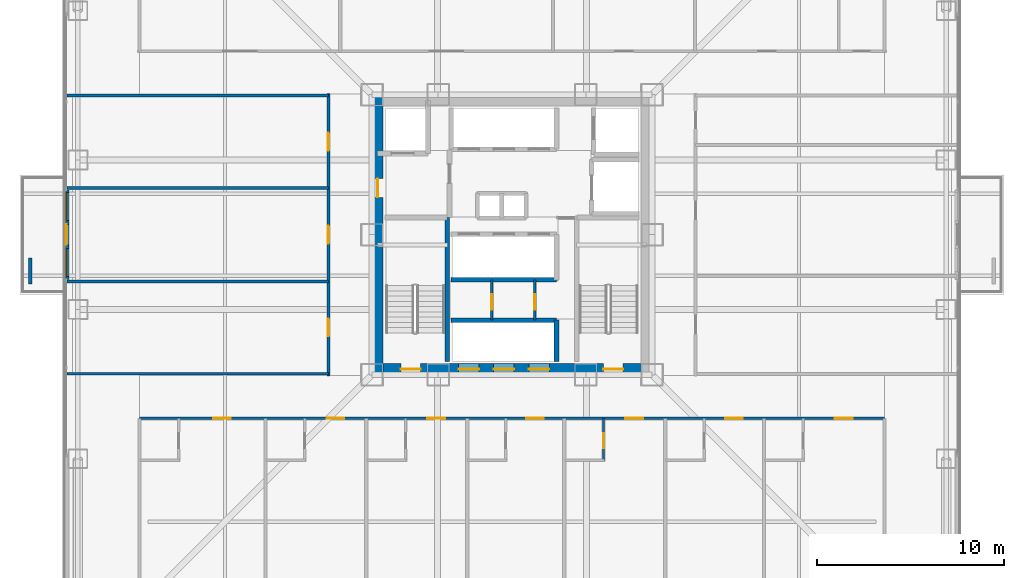
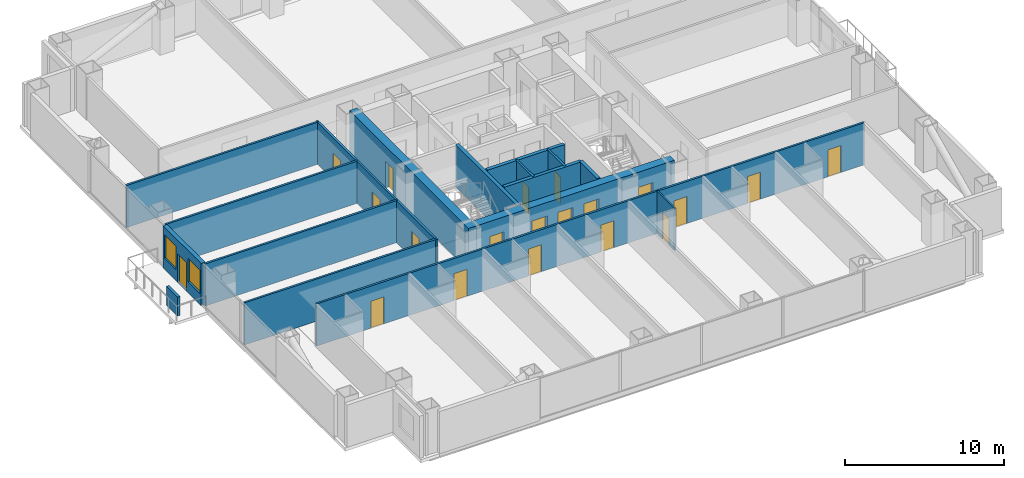
# One storey, part 15 of 20: 20 doors, 17 walls, 2 windows, 22 openings.
"""IFC4 building model written with IfcOpenShell, lengths in metres."""

from ifc_helpers import new_model, si_unit, direction, frame, frame_2d, origin, place, context, subcontext, project, spatial, rectangle, extrude, material, layer, layer_set, type_object, element, fill, save


model = new_model("IFC4")

# Units and contexts
model_context = context("Model", 3, precision=1e-05, world=origin(), true_north=direction((0.0, 1.0)))
body_context = subcontext(model_context, "Body", "Model", "MODEL_VIEW")
ifc_project = project(units=[si_unit("LENGTHUNIT", "METRE"), si_unit("AREAUNIT", "SQUARE_METRE"), si_unit("VOLUMEUNIT", "CUBIC_METRE"), si_unit("PLANEANGLEUNIT", "RADIAN"), si_unit("MASSUNIT", "GRAM", prefix="KILO")], contexts=[model_context])

# Site, building, storey
site_placement = place(None, origin())
site = spatial("IfcSite", under=ifc_project, at=site_placement, CompositionType="ELEMENT")
building_placement = place(site_placement, origin())
building = spatial("IfcBuilding", under=site, at=building_placement, Name="Trevonay Congress Spire", CompositionType="ELEMENT")
storey_placement = place(building_placement, frame((0.0, 0.0, 76.0)))
storey = spatial("IfcBuildingStorey", under=building, at=storey_placement, Name="L19", CompositionType="ELEMENT", Elevation=76.0)

# Wall, opening, door
ifc_material_1 = material(Name="Concrete C40/50", Category="concrete")
ifc_layer_1 = layer(ifc_material_1, 0.1201171875, Name="Concrete C40/50")
ifc_layer_set_1 = layer_set([ifc_layer_1], Name="Concrete C40/50")
wall_type_1 = type_object("IfcWallType", Name="WAL-BATH-120", PredefinedType="PLUMBINGWALL", material=ifc_layer_set_1)
wall_1_placement = place(storey_placement, frame((4.89990234375, -12.080078125, 0.0), z_axis=(0.0, 0.0, 1.0), x_axis=(0.0, 1.0, 0.0)))
wall_1 = element("IfcWall", 1, at=wall_1_placement, inside=storey, type_object=wall_type_1, Name="L19 interior wall WH-L19S-BS5", PredefinedType="PLUMBINGWALL", context=body_context, shape_type="SweptSolid", body=[
    extrude(rectangle(XDim=2.25, YDim=0.1201171875, at=frame_2d((1.125, 0.0))), origin(), (0.0, 0.0, 1.0), 3.25),
])
opening_1_placement = place(wall_1_placement, frame((0.64990234375, 0.0, 0.0)))
opening_1 = element("IfcOpeningElement", 2, at=opening_1_placement, cuts=wall_1, Name="Opening D11", PredefinedType="OPENING", context=body_context, shape_type="SweptSolid", body=[
    extrude(rectangle(XDim=0.800048828125, YDim=2.050048828125, at=frame_2d((0.39990234375, 1.02490234375))), frame((0.0, 0.070068359375, 0.0), z_axis=(0.0, -1.0, 0.0), x_axis=(1.0, 0.0, 0.0)), (0.0, 0.0, 1.0), 0.14013671875),
])
ifc_material_2 = material(Name="Pale Anodised Aluminium EN AW-6063-T6", Category="aluminium")
door_type_1 = type_object("IfcDoorType", Name="DOR-BATH-80", OperationType="NOTDEFINED", PredefinedType="DOOR", material=ifc_material_2)
door_1_placement = place(opening_1_placement, origin())
door_1 = element("IfcDoor", 3, at=door_1_placement, inside=storey, type_object=door_type_1, Name="L19 En-suite Bathroom Door", OperationType="SINGLE_SWING_LEFT", OverallHeight=2.050048828125, OverallWidth=0.800048828125, PredefinedType="DOOR", context=body_context, shape_type="SweptSolid", body=[
    extrude(rectangle(XDim=0.800048828125, YDim=2.050048828125, at=frame_2d((0.39990234375, 1.02490234375))), frame((0.0, 0.02490234375, 0.0), z_axis=(0.0, -1.0, 0.0), x_axis=(1.0, 0.0, 0.0)), (0.0, 0.0, 1.0), 0.050048828125),
])
fill(opening_1, door_1)

# Wall, openings, doors
ifc_material_3 = material(Name="Concrete C60/75", Category="concrete")
ifc_layer_2 = layer(ifc_material_3, 0.60009765625, Name="Concrete C60/75")
ifc_layer_set_2 = layer_set([ifc_layer_2], Name="Concrete C60/75")
wall_type_2 = type_object("IfcWallType", Name="WAL-CORE-600", PredefinedType="SHEAR", material=ifc_layer_set_2)
wall_2_placement = place(storey_placement, frame((-7.5, -7.199951171875, 0.0), z_axis=(0.0, 0.0, 1.0), x_axis=(1.0, 0.0, 0.0)))
wall_2 = element("IfcWall", 4, at=wall_2_placement, inside=storey, type_object=wall_type_2, Name="L19 South structural core shear wall", PredefinedType="SHEAR", context=body_context, shape_type="SweptSolid", body=[
    extrude(rectangle(XDim=15.0, YDim=0.60009765625, at=frame_2d((7.5, 0.0))), origin(), (0.0, 0.0, 1.0), 3.25),
])
opening_2_placement = place(wall_2_placement, frame((1.550048828125, 0.0, 0.0)))
opening_2 = element("IfcOpeningElement", 5, at=opening_2_placement, cuts=wall_2, Name="Opening D05", PredefinedType="OPENING", context=body_context, shape_type="SweptSolid", body=[
    extrude(rectangle(XDim=1.050048828125, YDim=2.080078125, at=frame_2d((0.52490234375, 1.0400390625))), frame((0.0, 0.31005859375, 0.0), z_axis=(0.0, -1.0, 0.0), x_axis=(1.0, 0.0, 0.0)), (0.0, 0.0, 1.0), 0.6201171875),
])
opening_3_placement = place(wall_2_placement, frame((12.39990234375, 0.0, 0.0)))
opening_3 = element("IfcOpeningElement", 6, at=opening_3_placement, cuts=wall_2, Name="Opening D05", PredefinedType="OPENING", context=body_context, shape_type="SweptSolid", body=[
    extrude(rectangle(XDim=1.050048828125, YDim=2.080078125, at=frame_2d((0.52490234375, 1.0400390625))), frame((0.0, 0.31005859375, 0.0), z_axis=(0.0, -1.0, 0.0), x_axis=(1.0, 0.0, 0.0)), (0.0, 0.0, 1.0), 0.6201171875),
])
opening_4_placement = place(wall_2_placement, frame((4.639892578125, 0.0, 0.0)))
opening_4 = element("IfcOpeningElement", 7, at=opening_4_placement, cuts=wall_2, Name="Opening LD01", PredefinedType="OPENING", context=body_context, shape_type="SweptSolid", body=[
    extrude(rectangle(XDim=1.10009765625, YDim=2.199951171875, at=frame_2d((0.550048828125, 1.10009765625))), frame((0.0, 0.31005859375, 0.0), z_axis=(0.0, -1.0, 0.0), x_axis=(1.0, 0.0, 0.0)), (0.0, 0.0, 1.0), 0.6201171875),
])
opening_5_placement = place(wall_2_placement, frame((6.52001953125, 0.0, 0.0)))
opening_5 = element("IfcOpeningElement", 8, at=opening_5_placement, cuts=wall_2, Name="Opening LD01", PredefinedType="OPENING", context=body_context, shape_type="SweptSolid", body=[
    extrude(rectangle(XDim=1.10009765625, YDim=2.199951171875, at=frame_2d((0.550048828125, 1.10009765625))), frame((0.0, 0.31005859375, 0.0), z_axis=(0.0, -1.0, 0.0), x_axis=(1.0, 0.0, 0.0)), (0.0, 0.0, 1.0), 0.6201171875),
])
opening_6_placement = place(wall_2_placement, frame((8.39990234375, 0.0, 0.0)))
opening_6 = element("IfcOpeningElement", 9, at=opening_6_placement, cuts=wall_2, Name="Opening LD01", PredefinedType="OPENING", context=body_context, shape_type="SweptSolid", body=[
    extrude(rectangle(XDim=1.10009765625, YDim=2.199951171875, at=frame_2d((0.550048828125, 1.10009765625))), frame((0.0, 0.31005859375, 0.0), z_axis=(0.0, -1.0, 0.0), x_axis=(1.0, 0.0, 0.0)), (0.0, 0.0, 1.0), 0.6201171875),
])
door_type_2 = type_object("IfcDoorType", Name="DOR-LIFT-LD01", OperationType="DOUBLE_DOOR_SLIDING", PredefinedType="DOOR", material=ifc_material_2)
door_2_placement = place(opening_4_placement, origin())
door_2 = element("IfcDoor", 10, at=door_2_placement, inside=storey, type_object=door_type_2, Name="L19 Passenger lift PL-01 landing door", OperationType="DOUBLE_DOOR_SLIDING", OverallHeight=2.199951171875, OverallWidth=1.10009765625, PredefinedType="DOOR", context=body_context, shape_type="SweptSolid", body=[
    extrude(rectangle(XDim=1.10009765625, YDim=2.199951171875, at=frame_2d((0.550048828125, 1.10009765625))), frame((0.0, 0.02490234375, 0.0), z_axis=(0.0, -1.0, 0.0), x_axis=(1.0, 0.0, 0.0)), (0.0, 0.0, 1.0), 0.050048828125),
])
fill(opening_4, door_2)
door_3_placement = place(opening_5_placement, origin())
door_3 = element("IfcDoor", 11, at=door_3_placement, inside=storey, type_object=door_type_2, Name="L19 Passenger lift PL-02 landing door", OperationType="DOUBLE_DOOR_SLIDING", OverallHeight=2.199951171875, OverallWidth=1.10009765625, PredefinedType="DOOR", context=body_context, shape_type="SweptSolid", body=[
    extrude(rectangle(XDim=1.10009765625, YDim=2.199951171875, at=frame_2d((0.550048828125, 1.10009765625))), frame((0.0, 0.02490234375, 0.0), z_axis=(0.0, -1.0, 0.0), x_axis=(1.0, 0.0, 0.0)), (0.0, 0.0, 1.0), 0.050048828125),
])
fill(opening_5, door_3)
door_4_placement = place(opening_6_placement, origin())
door_4 = element("IfcDoor", 12, at=door_4_placement, inside=storey, type_object=door_type_2, Name="L19 Passenger lift PL-03 landing door", OperationType="DOUBLE_DOOR_SLIDING", OverallHeight=2.199951171875, OverallWidth=1.10009765625, PredefinedType="DOOR", context=body_context, shape_type="SweptSolid", body=[
    extrude(rectangle(XDim=1.10009765625, YDim=2.199951171875, at=frame_2d((0.550048828125, 1.10009765625))), frame((0.0, 0.02490234375, 0.0), z_axis=(0.0, -1.0, 0.0), x_axis=(1.0, 0.0, 0.0)), (0.0, 0.0, 1.0), 0.050048828125),
])
fill(opening_6, door_4)
ifc_material_4 = material(Name="Steel ASTM A572 Grade 50", Category="steel")
door_type_3 = type_object("IfcDoorType", Name="DOR-STAIR-110", OperationType="NOTDEFINED", PredefinedType="DOOR", material=ifc_material_4)
door_5_placement = place(opening_2_placement, origin())
door_5 = element("IfcDoor", 13, at=door_5_placement, inside=storey, type_object=door_type_3, Name="L19 Protected Stair ST-1 Door", OperationType="SINGLE_SWING_RIGHT", OverallHeight=2.080078125, OverallWidth=1.050048828125, PredefinedType="DOOR", context=body_context, shape_type="SweptSolid", body=[
    extrude(rectangle(XDim=1.050048828125, YDim=2.080078125, at=frame_2d((0.52490234375, 1.0400390625))), frame((0.0, 0.02490234375, 0.0), z_axis=(0.0, -1.0, 0.0), x_axis=(1.0, 0.0, 0.0)), (0.0, 0.0, 1.0), 0.050048828125),
])
fill(opening_2, door_5)
door_6_placement = place(opening_3_placement, origin())
door_6 = element("IfcDoor", 14, at=door_6_placement, inside=storey, type_object=door_type_3, Name="L19 Protected Stair ST-2 Door", OperationType="SINGLE_SWING_LEFT", OverallHeight=2.080078125, OverallWidth=1.050048828125, PredefinedType="DOOR", context=body_context, shape_type="SweptSolid", body=[
    extrude(rectangle(XDim=1.050048828125, YDim=2.080078125, at=frame_2d((0.52490234375, 1.0400390625))), frame((0.0, 0.02490234375, 0.0), z_axis=(0.0, -1.0, 0.0), x_axis=(1.0, 0.0, 0.0)), (0.0, 0.0, 1.0), 0.050048828125),
])
fill(opening_3, door_6)

# Wall, opening, door
wall_3_placement = place(storey_placement, frame((-7.199951171875, -7.5, 0.0), z_axis=(0.0, 0.0, 1.0), x_axis=(0.0, 1.0, 0.0)))
wall_3 = element("IfcWall", 15, at=wall_3_placement, inside=storey, type_object=wall_type_2, Name="L19 West structural core shear wall", PredefinedType="SHEAR", context=body_context, shape_type="SweptSolid", body=[
    extrude(rectangle(XDim=15.0, YDim=0.60009765625, at=frame_2d((7.5, 0.0))), origin(), (0.0, 0.0, 1.0), 3.25),
])
opening_7_placement = place(wall_3_placement, frame((9.5, 0.0, 0.0)))
opening_7 = element("IfcOpeningElement", 16, at=opening_7_placement, cuts=wall_3, Name="Opening D06", PredefinedType="OPENING", context=body_context, shape_type="SweptSolid", body=[
    extrude(rectangle(XDim=1.0, YDim=2.080078125, at=frame_2d((0.5, 1.0400390625))), frame((0.0, 0.31005859375, 0.0), z_axis=(0.0, -1.0, 0.0), x_axis=(1.0, 0.0, 0.0)), (0.0, 0.0, 1.0), 0.6201171875),
])
door_type_4 = type_object("IfcDoorType", Name="DOR-FIRE-100", OperationType="NOTDEFINED", PredefinedType="DOOR", material=ifc_material_4)
door_7_placement = place(opening_7_placement, origin())
door_7 = element("IfcDoor", 17, at=door_7_placement, inside=storey, type_object=door_type_4, Name="L19 Firefighting Lift Lobby West Corridor Door", OperationType="SINGLE_SWING_RIGHT", OverallHeight=2.080078125, OverallWidth=1.0, PredefinedType="DOOR", context=body_context, shape_type="SweptSolid", body=[
    extrude(rectangle(XDim=1.0, YDim=2.080078125, at=frame_2d((0.5, 1.0400390625))), frame((0.0, 0.02490234375, 0.0), z_axis=(0.0, -1.0, 0.0), x_axis=(1.0, 0.0, 0.0)), (0.0, 0.0, 1.0), 0.050048828125),
])
fill(opening_7, door_7)

# Wall, openings, doors
ifc_layer_3 = layer(ifc_material_1, 0.14990234375, Name="Concrete C40/50")
ifc_layer_set_3 = layer_set([ifc_layer_3], Name="Concrete C40/50")
wall_type_3 = type_object("IfcWallType", Name="WAL-CORR-150", PredefinedType="PARTITIONING", material=ifc_layer_set_3)
wall_4_placement = place(storey_placement, frame((-19.949951171875, -9.830078125, 0.0), z_axis=(0.0, 0.0, 1.0), x_axis=(1.0, 0.0, 0.0)))
wall_4 = element("IfcWall", 18, at=wall_4_placement, inside=storey, type_object=wall_type_3, Name="L19 interior wall WH-L19S-COR", PredefinedType="PARTITIONING", context=body_context, shape_type="SweptSolid", body=[
    extrude(rectangle(XDim=39.89990234375, YDim=0.14990234375, at=frame_2d((19.949951171875, 0.0))), origin(), (0.0, 0.0, 1.0), 3.25),
])
opening_8_placement = place(wall_4_placement, frame((3.945068359375, 0.0, 0.0)))
opening_8 = element("IfcOpeningElement", 19, at=opening_8_placement, cuts=wall_4, Name="Opening D08", PredefinedType="OPENING", context=body_context, shape_type="SweptSolid", body=[
    extrude(rectangle(XDim=0.949951171875, YDim=2.080078125, at=frame_2d((0.47509765625, 1.0400390625))), frame((0.0, 0.0849609375, 0.0), z_axis=(0.0, -1.0, 0.0), x_axis=(1.0, 0.0, 0.0)), (0.0, 0.0, 1.0), 0.169921875),
])
opening_9_placement = place(wall_4_placement, frame((10.02001953125, 0.0, 0.0)))
opening_9 = element("IfcOpeningElement", 20, at=opening_9_placement, cuts=wall_4, Name="Opening D08", PredefinedType="OPENING", context=body_context, shape_type="SweptSolid", body=[
    extrude(rectangle(XDim=0.949951171875, YDim=2.080078125, at=frame_2d((0.47509765625, 1.0400390625))), frame((0.0, 0.0849609375, 0.0), z_axis=(0.0, -1.0, 0.0), x_axis=(1.0, 0.0, 0.0)), (0.0, 0.0, 1.0), 0.169921875),
])
opening_10_placement = place(wall_4_placement, frame((15.419921875, 0.0, 0.0)))
opening_10 = element("IfcOpeningElement", 21, at=opening_10_placement, cuts=wall_4, Name="Opening D08", PredefinedType="OPENING", context=body_context, shape_type="SweptSolid", body=[
    extrude(rectangle(XDim=0.949951171875, YDim=2.080078125, at=frame_2d((0.47509765625, 1.0400390625))), frame((0.0, 0.0849609375, 0.0), z_axis=(0.0, -1.0, 0.0), x_axis=(1.0, 0.0, 0.0)), (0.0, 0.0, 1.0), 0.169921875),
])
opening_11_placement = place(wall_4_placement, frame((20.702392578125, 0.0, 0.0)))
opening_11 = element("IfcOpeningElement", 22, at=opening_11_placement, cuts=wall_4, Name="Opening D08", PredefinedType="OPENING", context=body_context, shape_type="SweptSolid", body=[
    extrude(rectangle(XDim=0.949951171875, YDim=2.080078125, at=frame_2d((0.47509765625, 1.0400390625))), frame((0.0, 0.0849609375, 0.0), z_axis=(0.0, -1.0, 0.0), x_axis=(1.0, 0.0, 0.0)), (0.0, 0.0, 1.0), 0.169921875),
])
opening_12_placement = place(wall_4_placement, frame((26.02001953125, 0.0, 0.0)))
opening_12 = element("IfcOpeningElement", 23, at=opening_12_placement, cuts=wall_4, Name="Opening D08", PredefinedType="OPENING", context=body_context, shape_type="SweptSolid", body=[
    extrude(rectangle(XDim=0.949951171875, YDim=2.080078125, at=frame_2d((0.47509765625, 1.0400390625))), frame((0.0, 0.0849609375, 0.0), z_axis=(0.0, -1.0, 0.0), x_axis=(1.0, 0.0, 0.0)), (0.0, 0.0, 1.0), 0.169921875),
])
opening_13_placement = place(wall_4_placement, frame((31.3701171875, 0.0, 0.0)))
opening_13 = element("IfcOpeningElement", 24, at=opening_13_placement, cuts=wall_4, Name="Opening D08", PredefinedType="OPENING", context=body_context, shape_type="SweptSolid", body=[
    extrude(rectangle(XDim=0.949951171875, YDim=2.080078125, at=frame_2d((0.47509765625, 1.0400390625))), frame((0.0, 0.0849609375, 0.0), z_axis=(0.0, -1.0, 0.0), x_axis=(1.0, 0.0, 0.0)), (0.0, 0.0, 1.0), 0.169921875),
])
opening_14_placement = place(wall_4_placement, frame((37.2451171875, 0.0, 0.0)))
opening_14 = element("IfcOpeningElement", 25, at=opening_14_placement, cuts=wall_4, Name="Opening D08", PredefinedType="OPENING", context=body_context, shape_type="SweptSolid", body=[
    extrude(rectangle(XDim=0.949951171875, YDim=2.080078125, at=frame_2d((0.47509765625, 1.0400390625))), frame((0.0, 0.0849609375, 0.0), z_axis=(0.0, -1.0, 0.0), x_axis=(1.0, 0.0, 0.0)), (0.0, 0.0, 1.0), 0.169921875),
])
door_type_5 = type_object("IfcDoorType", Name="DOR-SUITE-95", OperationType="NOTDEFINED", PredefinedType="DOOR", material=ifc_material_2)
door_8_placement = place(opening_8_placement, origin())
door_8 = element("IfcDoor", 26, at=door_8_placement, inside=storey, type_object=door_type_5, Name="L19 Corner Hotel Suite Entrance Door", OperationType="SINGLE_SWING_RIGHT", OverallHeight=2.080078125, OverallWidth=0.949951171875, PredefinedType="DOOR", context=body_context, shape_type="SweptSolid", body=[
    extrude(rectangle(XDim=0.949951171875, YDim=2.080078125, at=frame_2d((0.47509765625, 1.0400390625))), frame((0.0, 0.02490234375, 0.0), z_axis=(0.0, -1.0, 0.0), x_axis=(1.0, 0.0, 0.0)), (0.0, 0.0, 1.0), 0.050048828125),
])
fill(opening_8, door_8)
door_9_placement = place(opening_9_placement, origin())
door_9 = element("IfcDoor", 27, at=door_9_placement, inside=storey, type_object=door_type_5, Name="L19 Corner Hotel Suite Entrance Door", OperationType="SINGLE_SWING_LEFT", OverallHeight=2.080078125, OverallWidth=0.949951171875, PredefinedType="DOOR", context=body_context, shape_type="SweptSolid", body=[
    extrude(rectangle(XDim=0.949951171875, YDim=2.080078125, at=frame_2d((0.47509765625, 1.0400390625))), frame((0.0, 0.02490234375, 0.0), z_axis=(0.0, -1.0, 0.0), x_axis=(1.0, 0.0, 0.0)), (0.0, 0.0, 1.0), 0.050048828125),
])
fill(opening_9, door_9)
door_10_placement = place(opening_10_placement, origin())
door_10 = element("IfcDoor", 28, at=door_10_placement, inside=storey, type_object=door_type_5, Name="L19 Corner Hotel Suite Entrance Door", OperationType="SINGLE_SWING_RIGHT", OverallHeight=2.080078125, OverallWidth=0.949951171875, PredefinedType="DOOR", context=body_context, shape_type="SweptSolid", body=[
    extrude(rectangle(XDim=0.949951171875, YDim=2.080078125, at=frame_2d((0.47509765625, 1.0400390625))), frame((0.0, 0.02490234375, 0.0), z_axis=(0.0, -1.0, 0.0), x_axis=(1.0, 0.0, 0.0)), (0.0, 0.0, 1.0), 0.050048828125),
])
fill(opening_10, door_10)
door_11_placement = place(opening_11_placement, origin())
door_11 = element("IfcDoor", 29, at=door_11_placement, inside=storey, type_object=door_type_5, Name="L19 Corner Hotel Suite Entrance Door", OperationType="SINGLE_SWING_LEFT", OverallHeight=2.080078125, OverallWidth=0.949951171875, PredefinedType="DOOR", context=body_context, shape_type="SweptSolid", body=[
    extrude(rectangle(XDim=0.949951171875, YDim=2.080078125, at=frame_2d((0.47509765625, 1.0400390625))), frame((0.0, 0.02490234375, 0.0), z_axis=(0.0, -1.0, 0.0), x_axis=(1.0, 0.0, 0.0)), (0.0, 0.0, 1.0), 0.050048828125),
])
fill(opening_11, door_11)
door_12_placement = place(opening_12_placement, origin())
door_12 = element("IfcDoor", 30, at=door_12_placement, inside=storey, type_object=door_type_5, Name="L19 Corner Hotel Suite Entrance Door", OperationType="SINGLE_SWING_RIGHT", OverallHeight=2.080078125, OverallWidth=0.949951171875, PredefinedType="DOOR", context=body_context, shape_type="SweptSolid", body=[
    extrude(rectangle(XDim=0.949951171875, YDim=2.080078125, at=frame_2d((0.47509765625, 1.0400390625))), frame((0.0, 0.02490234375, 0.0), z_axis=(0.0, -1.0, 0.0), x_axis=(1.0, 0.0, 0.0)), (0.0, 0.0, 1.0), 0.050048828125),
])
fill(opening_12, door_12)
door_13_placement = place(opening_13_placement, origin())
door_13 = element("IfcDoor", 31, at=door_13_placement, inside=storey, type_object=door_type_5, Name="L19 Corner Hotel Suite Entrance Door", OperationType="SINGLE_SWING_LEFT", OverallHeight=2.080078125, OverallWidth=0.949951171875, PredefinedType="DOOR", context=body_context, shape_type="SweptSolid", body=[
    extrude(rectangle(XDim=0.949951171875, YDim=2.080078125, at=frame_2d((0.47509765625, 1.0400390625))), frame((0.0, 0.02490234375, 0.0), z_axis=(0.0, -1.0, 0.0), x_axis=(1.0, 0.0, 0.0)), (0.0, 0.0, 1.0), 0.050048828125),
])
fill(opening_13, door_13)
door_14_placement = place(opening_14_placement, origin())
door_14 = element("IfcDoor", 32, at=door_14_placement, inside=storey, type_object=door_type_5, Name="L19 Corner Hotel Suite Entrance Door", OperationType="SINGLE_SWING_RIGHT", OverallHeight=2.080078125, OverallWidth=0.949951171875, PredefinedType="DOOR", context=body_context, shape_type="SweptSolid", body=[
    extrude(rectangle(XDim=0.949951171875, YDim=2.080078125, at=frame_2d((0.47509765625, 1.0400390625))), frame((0.0, 0.02490234375, 0.0), z_axis=(0.0, -1.0, 0.0), x_axis=(1.0, 0.0, 0.0)), (0.0, 0.0, 1.0), 0.050048828125),
])
fill(opening_14, door_14)

wall_5_placement = place(storey_placement, frame((-9.830078125, -7.570068359375, 0.0), z_axis=(0.0, 0.0, 1.0), x_axis=(0.0, 1.0, 0.0)))
wall_5 = element("IfcWall", 33, at=wall_5_placement, inside=storey, type_object=wall_type_3, Name="L19 interior wall WP-L19W-COR", PredefinedType="PARTITIONING", context=body_context, shape_type="SweptSolid", body=[
    extrude(rectangle(XDim=15.14013671875, YDim=0.14990234375, at=frame_2d((7.570068359375, 0.0))), origin(), (0.0, 0.0, 1.0), 3.25),
])
opening_15_placement = place(wall_5_placement, frame((2.1201171875, 0.0, 0.0)))
opening_15 = element("IfcOpeningElement", 34, at=opening_15_placement, cuts=wall_5, Name="Opening D07", PredefinedType="OPENING", context=body_context, shape_type="SweptSolid", body=[
    extrude(rectangle(XDim=0.949951171875, YDim=2.06005859375, at=frame_2d((0.47509765625, 1.030029296875))), frame((0.0, 0.0849609375, 0.0), z_axis=(0.0, -1.0, 0.0), x_axis=(1.0, 0.0, 0.0)), (0.0, 0.0, 1.0), 0.169921875),
])
opening_16_placement = place(wall_5_placement, frame((7.094970703125, 0.0, 0.0)))
opening_16 = element("IfcOpeningElement", 35, at=opening_16_placement, cuts=wall_5, Name="Opening D07", PredefinedType="OPENING", context=body_context, shape_type="SweptSolid", body=[
    extrude(rectangle(XDim=0.949951171875, YDim=2.06005859375, at=frame_2d((0.47509765625, 1.030029296875))), frame((0.0, 0.0849609375, 0.0), z_axis=(0.0, -1.0, 0.0), x_axis=(1.0, 0.0, 0.0)), (0.0, 0.0, 1.0), 0.169921875),
])
opening_17_placement = place(wall_5_placement, frame((12.070068359375, 0.0, 0.0)))
opening_17 = element("IfcOpeningElement", 36, at=opening_17_placement, cuts=wall_5, Name="Opening D07", PredefinedType="OPENING", context=body_context, shape_type="SweptSolid", body=[
    extrude(rectangle(XDim=0.949951171875, YDim=2.06005859375, at=frame_2d((0.47509765625, 1.030029296875))), frame((0.0, 0.0849609375, 0.0), z_axis=(0.0, -1.0, 0.0), x_axis=(1.0, 0.0, 0.0)), (0.0, 0.0, 1.0), 0.169921875),
])
door_type_6 = type_object("IfcDoorType", Name="DOR-OFFICE-95", OperationType="NOTDEFINED", PredefinedType="DOOR", material=ifc_material_2)
door_15_placement = place(opening_15_placement, origin())
door_15 = element("IfcDoor", 37, at=door_15_placement, inside=storey, type_object=door_type_6, Name="L19 Ambassador Briefing Room Door", OperationType="SINGLE_SWING_RIGHT", OverallHeight=2.06005859375, OverallWidth=0.949951171875, PredefinedType="DOOR", context=body_context, shape_type="SweptSolid", body=[
    extrude(rectangle(XDim=0.949951171875, YDim=2.06005859375, at=frame_2d((0.47509765625, 1.030029296875))), frame((0.0, 0.02490234375, 0.0), z_axis=(0.0, -1.0, 0.0), x_axis=(1.0, 0.0, 0.0)), (0.0, 0.0, 1.0), 0.050048828125),
])
fill(opening_15, door_15)
door_16_placement = place(opening_16_placement, origin())
door_16 = element("IfcDoor", 38, at=door_16_placement, inside=storey, type_object=door_type_6, Name="L19 Security Command Office Door", OperationType="SINGLE_SWING_LEFT", OverallHeight=2.06005859375, OverallWidth=0.949951171875, PredefinedType="DOOR", context=body_context, shape_type="SweptSolid", body=[
    extrude(rectangle(XDim=0.949951171875, YDim=2.06005859375, at=frame_2d((0.47509765625, 1.030029296875))), frame((0.0, 0.02490234375, 0.0), z_axis=(0.0, -1.0, 0.0), x_axis=(1.0, 0.0, 0.0)), (0.0, 0.0, 1.0), 0.050048828125),
])
fill(opening_16, door_16)
door_17_placement = place(opening_17_placement, origin())
door_17 = element("IfcDoor", 39, at=door_17_placement, inside=storey, type_object=door_type_6, Name="L19 Private Dining Room Door", OperationType="SINGLE_SWING_RIGHT", OverallHeight=2.06005859375, OverallWidth=0.949951171875, PredefinedType="DOOR", context=body_context, shape_type="SweptSolid", body=[
    extrude(rectangle(XDim=0.949951171875, YDim=2.06005859375, at=frame_2d((0.47509765625, 1.030029296875))), frame((0.0, 0.02490234375, 0.0), z_axis=(0.0, -1.0, 0.0), x_axis=(1.0, 0.0, 0.0)), (0.0, 0.0, 1.0), 0.050048828125),
])
fill(opening_17, door_17)

# Wall, openings, door, windows
ifc_material_5 = material(Name="Precast concrete C40/50", Category="concrete")
ifc_layer_4 = layer(ifc_material_5, 0.300048828125, Name="Precast concrete C40/50")
ifc_layer_set_4 = layer_set([ifc_layer_4], Name="Precast concrete C40/50")
wall_type_4 = type_object("IfcWallType", Name="WAL-EXT-PRECAST-300", PredefinedType="SOLIDWALL", material=ifc_layer_set_4)
wall_6_placement = place(storey_placement, frame((-23.8798828125, -2.39990234375, 0.0), z_axis=(0.0, 0.0, 1.0), x_axis=(0.0, 1.0, 0.0)))
wall_6 = element("IfcWall", 40, at=wall_6_placement, inside=storey, type_object=wall_type_4, Name="L19 W glazed balcony portal exterior wall", PredefinedType="SOLIDWALL", context=body_context, shape_type="SweptSolid", body=[
    extrude(rectangle(XDim=4.7998046875, YDim=0.300048828125, at=frame_2d((2.39990234375, 0.0))), origin(), (0.0, 0.0, 1.0), 3.25),
])
opening_18_placement = place(wall_6_placement, frame((1.85009765625, 0.0, 0.0)))
opening_18 = element("IfcOpeningElement", 41, at=opening_18_placement, cuts=wall_6, Name="Opening D03", PredefinedType="OPENING", context=body_context, shape_type="SweptSolid", body=[
    extrude(rectangle(XDim=1.10009765625, YDim=2.199951171875, at=frame_2d((0.550048828125, 1.10009765625))), frame((0.0, 0.16015625, 0.0), z_axis=(0.0, -1.0, 0.0), x_axis=(1.0, 0.0, 0.0)), (0.0, 0.0, 1.0), 0.320068359375),
])
opening_19_placement = place(wall_6_placement, frame((0.14990234375, 0.0, 0.85009765625)))
opening_19 = element("IfcOpeningElement", 42, at=opening_19_placement, cuts=wall_6, Name="Opening WN03", PredefinedType="OPENING", context=body_context, shape_type="SweptSolid", body=[
    extrude(rectangle(XDim=1.5, YDim=1.800048828125, at=frame_2d((0.75, 0.89990234375))), frame((0.0, 0.16015625, 0.0), z_axis=(0.0, -1.0, 0.0), x_axis=(1.0, 0.0, 0.0)), (0.0, 0.0, 1.0), 0.320068359375),
])
opening_20_placement = place(wall_6_placement, frame((3.14990234375, 0.0, 0.85009765625)))
opening_20 = element("IfcOpeningElement", 43, at=opening_20_placement, cuts=wall_6, Name="Opening WN03", PredefinedType="OPENING", context=body_context, shape_type="SweptSolid", body=[
    extrude(rectangle(XDim=1.5, YDim=1.800048828125, at=frame_2d((0.75, 0.89990234375))), frame((0.0, 0.16015625, 0.0), z_axis=(0.0, -1.0, 0.0), x_axis=(1.0, 0.0, 0.0)), (0.0, 0.0, 1.0), 0.320068359375),
])
door_type_7 = type_object("IfcDoorType", Name="DOR-EXT-BAL-110", OperationType="NOTDEFINED", PredefinedType="DOOR", material=ifc_material_2)
door_18_placement = place(opening_18_placement, origin())
door_18 = element("IfcDoor", 44, at=door_18_placement, inside=storey, type_object=door_type_7, Name="L19 W glazed outdoor terrace and balcony door", OperationType="SINGLE_SWING_LEFT", OverallHeight=2.199951171875, OverallWidth=1.10009765625, PredefinedType="DOOR", context=body_context, shape_type="SweptSolid", body=[
    extrude(rectangle(XDim=1.10009765625, YDim=2.199951171875, at=frame_2d((0.550048828125, 1.10009765625))), frame((0.0, 0.02490234375, 0.0), z_axis=(0.0, -1.0, 0.0), x_axis=(1.0, 0.0, 0.0)), (0.0, 0.0, 1.0), 0.050048828125),
])
fill(opening_18, door_18)
ifc_material_6 = material(Name="Insulated Low-E Vision Glass IGU", Category="glass")
window_type = type_object("IfcWindowType", Name="WIN-NOTCH-150X180", PartitioningType="SINGLE_PANEL", PredefinedType="WINDOW", material=ifc_material_6)
window_1_placement = place(opening_19_placement, origin())
window_1 = element("IfcWindow", 45, at=window_1_placement, inside=storey, type_object=window_type, Name="L19 W balcony sidelight window L", OverallHeight=1.800048828125, OverallWidth=1.5, PartitioningType="SINGLE_PANEL", PredefinedType="WINDOW", context=body_context, shape_type="SweptSolid", body=[
    extrude(rectangle(XDim=1.5, YDim=1.800048828125, at=frame_2d((0.75, 0.89990234375))), frame((0.0, 0.030029296875, 0.0), z_axis=(0.0, -1.0, 0.0), x_axis=(1.0, 0.0, 0.0)), (0.0, 0.0, 1.0), 0.06005859375),
])
fill(opening_19, window_1)
window_2_placement = place(opening_20_placement, origin())
window_2 = element("IfcWindow", 46, at=window_2_placement, inside=storey, type_object=window_type, Name="L19 W balcony sidelight window R", OverallHeight=1.800048828125, OverallWidth=1.5, PartitioningType="SINGLE_PANEL", PredefinedType="WINDOW", context=body_context, shape_type="SweptSolid", body=[
    extrude(rectangle(XDim=1.5, YDim=1.800048828125, at=frame_2d((0.75, 0.89990234375))), frame((0.0, 0.030029296875, 0.0), z_axis=(0.0, -1.0, 0.0), x_axis=(1.0, 0.0, 0.0)), (0.0, 0.0, 1.0), 0.06005859375),
])
fill(opening_20, window_2)

# Wall, opening, door
ifc_layer_5 = layer(ifc_material_1, 0.14990234375, Name="Concrete C40/50")
ifc_layer_set_5 = layer_set([ifc_layer_5], Name="Concrete C40/50")
wall_type_5 = type_object("IfcWallType", Name="WAL-PART-150", PredefinedType="PARTITIONING", material=ifc_layer_set_5)
wall_7_placement = place(storey_placement, frame((-1.080078125, -4.570068359375, 0.0), z_axis=(0.0, 0.0, 1.0), x_axis=(0.0, 1.0, 0.0)))
wall_7 = element("IfcWall", 47, at=wall_7_placement, inside=storey, type_object=wall_type_5, Name="L19 interior wall CW-K3-IT-L19", PredefinedType="PARTITIONING", context=body_context, shape_type="SweptSolid", body=[
    extrude(rectangle(XDim=2.14013671875, YDim=0.14990234375, at=frame_2d((1.070068359375, 0.0))), origin(), (0.0, 0.0, 1.0), 3.25),
])
opening_21_placement = place(wall_7_placement, frame((0.550048828125, 0.0, 0.0)))
opening_21 = element("IfcOpeningElement", 48, at=opening_21_placement, cuts=wall_7, Name="Opening D13", PredefinedType="OPENING", context=body_context, shape_type="SweptSolid", body=[
    extrude(rectangle(XDim=0.820068359375, YDim=2.050048828125, at=frame_2d((0.41015625, 1.02490234375))), frame((0.0, 0.0849609375, 0.0), z_axis=(0.0, -1.0, 0.0), x_axis=(1.0, 0.0, 0.0)), (0.0, 0.0, 1.0), 0.169921875),
])
door_type_8 = type_object("IfcDoorType", Name="DOR-UTIL-80", OperationType="NOTDEFINED", PredefinedType="DOOR", material=ifc_material_4)
door_19_placement = place(opening_21_placement, origin())
door_19 = element("IfcDoor", 49, at=door_19_placement, inside=storey, type_object=door_type_8, Name="L19 Core IT Door", OperationType="SINGLE_SWING_LEFT", OverallHeight=2.050048828125, OverallWidth=0.820068359375, PredefinedType="DOOR", context=body_context, shape_type="SweptSolid", body=[
    extrude(rectangle(XDim=0.820068359375, YDim=2.050048828125, at=frame_2d((0.41015625, 1.02490234375))), frame((0.0, 0.02490234375, 0.0), z_axis=(0.0, -1.0, 0.0), x_axis=(1.0, 0.0, 0.0)), (0.0, 0.0, 1.0), 0.050048828125),
])
fill(opening_21, door_19)

wall_8_placement = place(storey_placement, frame((1.219970703125, -4.570068359375, 0.0), z_axis=(0.0, 0.0, 1.0), x_axis=(0.0, 1.0, 0.0)))
wall_8 = element("IfcWall", 50, at=wall_8_placement, inside=storey, type_object=wall_type_5, Name="L19 interior wall CW-K3-JAN-L19", PredefinedType="PARTITIONING", context=body_context, shape_type="SweptSolid", body=[
    extrude(rectangle(XDim=2.14013671875, YDim=0.14990234375, at=frame_2d((1.070068359375, 0.0))), origin(), (0.0, 0.0, 1.0), 3.25),
])
opening_22_placement = place(wall_8_placement, frame((0.550048828125, 0.0, 0.0)))
opening_22 = element("IfcOpeningElement", 51, at=opening_22_placement, cuts=wall_8, Name="Opening D13", PredefinedType="OPENING", context=body_context, shape_type="SweptSolid", body=[
    extrude(rectangle(XDim=0.820068359375, YDim=2.050048828125, at=frame_2d((0.41015625, 1.02490234375))), frame((0.0, 0.0849609375, 0.0), z_axis=(0.0, -1.0, 0.0), x_axis=(1.0, 0.0, 0.0)), (0.0, 0.0, 1.0), 0.169921875),
])
door_20_placement = place(opening_22_placement, origin())
door_20 = element("IfcDoor", 52, at=door_20_placement, inside=storey, type_object=door_type_8, Name="L19 Core JAN Door", OperationType="SINGLE_SWING_RIGHT", OverallHeight=2.050048828125, OverallWidth=0.820068359375, PredefinedType="DOOR", context=body_context, shape_type="SweptSolid", body=[
    extrude(rectangle(XDim=0.820068359375, YDim=2.050048828125, at=frame_2d((0.41015625, 1.02490234375))), frame((0.0, 0.02490234375, 0.0), z_axis=(0.0, -1.0, 0.0), x_axis=(1.0, 0.0, 0.0)), (0.0, 0.0, 1.0), 0.050048828125),
])
fill(opening_22, door_20)

# Walls
for number, where, z_axis, x_axis, name in (
    (53, (-23.820068359375, -7.449951171875, 0.0), (0.0, 0.0, 1.0), (1.0, 0.0, 0.0), "L19 interior wall WP-L19W-DIV1"),
    (54, (-23.820068359375, -2.5, 0.0), (0.0, 0.0, 1.0), (1.0, 0.0, 0.0), "L19 interior wall WP-L19W-DIV2"),
    (55, (-23.820068359375, 2.5, 0.0), (0.0, 0.0, 1.0), (1.0, 0.0, 0.0), "L19 interior wall WP-L19W-DIV3"),
    (56, (-23.820068359375, 7.449951171875, 0.0), (0.0, 0.0, 1.0), (1.0, 0.0, 0.0), "L19 interior wall WP-L19W-DIV4"),
):
    element("IfcWall", number, at=place(storey_placement, frame(where, z_axis=z_axis, x_axis=x_axis)), inside=storey, type_object=wall_type_5, Name=name, PredefinedType="PARTITIONING", context=body_context, shape_type="SweptSolid", body=[
        extrude(rectangle(XDim=13.989990234375, YDim=0.14990234375, at=frame_2d((6.9951171875, 0.0))), origin(), (0.0, 0.0, 1.0), 3.25),
    ])
ifc_layer_6 = layer(ifc_material_1, 0.25, Name="Concrete C40/50")
ifc_layer_set_6 = layer_set([ifc_layer_6], Name="Concrete C40/50")
wall_type_6 = type_object("IfcWallType", Name="WAL-SHAFT-250", PredefinedType="SHEAR", material=ifc_layer_set_6)
wall_9_placement = place(storey_placement, frame((-3.260009765625, -4.580078125, 0.0), z_axis=(0.0, 0.0, 1.0), x_axis=(1.0, 0.0, 0.0)))
element("IfcWall", 57, at=wall_9_placement, inside=storey, type_object=wall_type_6, Name="L19 interior shaft wall WSH-L19-B1-N", PredefinedType="SHEAR", context=body_context, shape_type="SweptSolid", body=[
    extrude(rectangle(XDim=5.639892578125, YDim=0.25, at=frame_2d((2.81982421875, 0.0))), origin(), (0.0, 0.0, 1.0), 3.25),
])
wall_10_placement = place(storey_placement, frame((2.3798828125, -6.800048828125, 0.0), z_axis=(0.0, 0.0, 1.0), x_axis=(0.0, 1.0, 0.0)))
element("IfcWall", 58, at=wall_10_placement, inside=storey, type_object=wall_type_6, Name="L19 interior shaft wall WSH-L19-B1-E", PredefinedType="SHEAR", context=body_context, shape_type="SweptSolid", body=[
    extrude(rectangle(XDim=2.219970703125, YDim=0.25, at=frame_2d((1.10986328125, 0.0))), origin(), (0.0, 0.0, 1.0), 3.25),
])
wall_11_placement = place(storey_placement, frame((-3.260009765625, -2.419921875, 0.0), z_axis=(0.0, 0.0, 1.0), x_axis=(1.0, 0.0, 0.0)))
element("IfcWall", 59, at=wall_11_placement, inside=storey, type_object=wall_type_6, Name="L19 interior shaft wall WSH-L19-B2-S", PredefinedType="SHEAR", context=body_context, shape_type="SweptSolid", body=[
    extrude(rectangle(XDim=5.639892578125, YDim=0.25, at=frame_2d((2.81982421875, 0.0))), origin(), (0.0, 0.0, 1.0), 3.25),
])
ifc_layer_7 = layer(ifc_material_1, 0.25, Name="Concrete C40/50")
ifc_layer_set_7 = layer_set([ifc_layer_7], Name="Concrete C40/50")
wall_type_7 = type_object("IfcWallType", Name="WAL-SHAFT-LB-250", PredefinedType="SHEAR", material=ifc_layer_set_7)
wall_12_placement = place(storey_placement, frame((-3.469970703125, -6.800048828125, 0.0), z_axis=(0.0, 0.0, 1.0), x_axis=(0.0, 1.0, 0.0)))
element("IfcWall", 60, at=wall_12_placement, inside=storey, type_object=wall_type_7, Name="L19 interior shaft wall WSH-L19-ST1-E", PredefinedType="SHEAR", context=body_context, shape_type="SweptSolid", body=[
    extrude(rectangle(XDim=7.719970703125, YDim=0.25, at=frame_2d((3.85986328125, 0.0))), origin(), (0.0, 0.0, 1.0), 3.25),
])
ifc_layer_8 = layer(ifc_material_5, 0.199951171875, Name="Precast concrete C40/50")
ifc_layer_set_8 = layer_set([ifc_layer_8], Name="Precast concrete C40/50")
wall_type_8 = type_object("IfcWallType", Name="WAL-TREE-PLANTER-200", PredefinedType="PARAPET", material=ifc_layer_set_8)
wall_13_placement = place(storey_placement, frame((-25.800048828125, -2.64990234375, 0.0), z_axis=(0.0, 0.0, 1.0), x_axis=(0.0, 1.0, 0.0)))
element("IfcWall", 61, at=wall_13_placement, inside=storey, type_object=wall_type_8, Name="L19 W cantilevered balcony tree planter box", PredefinedType="PARAPET", context=body_context, shape_type="SweptSolid", body=[
    extrude(rectangle(XDim=1.39990234375, YDim=0.199951171875, at=frame_2d((0.699951171875, 0.0))), origin(), (0.0, 0.0, 1.0), 1.449951171875),
])

save(model, "model.ifc")
